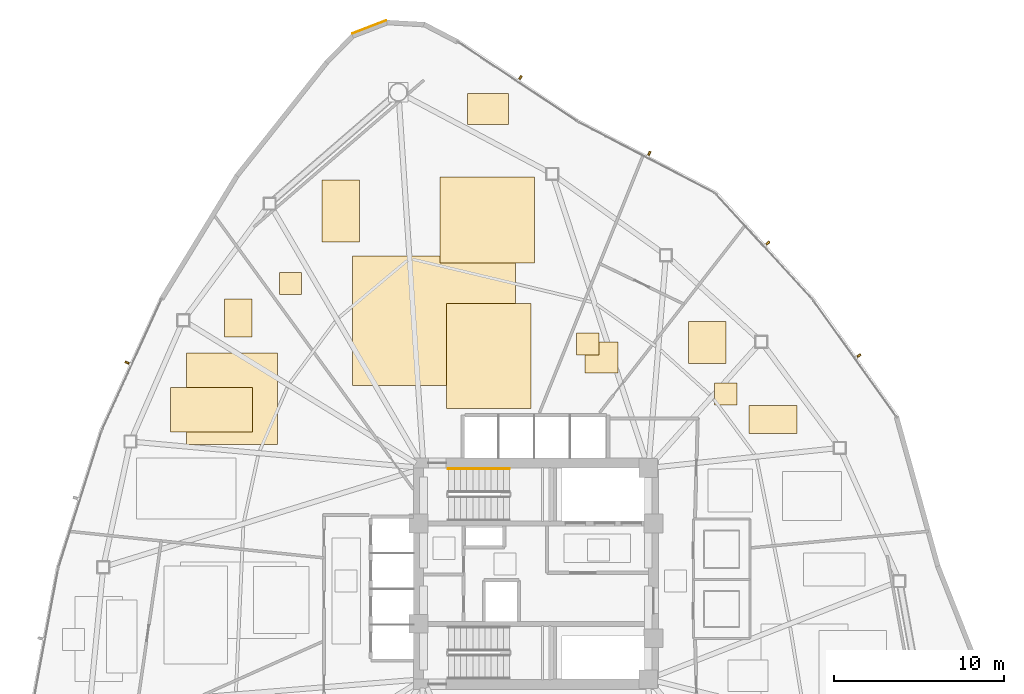
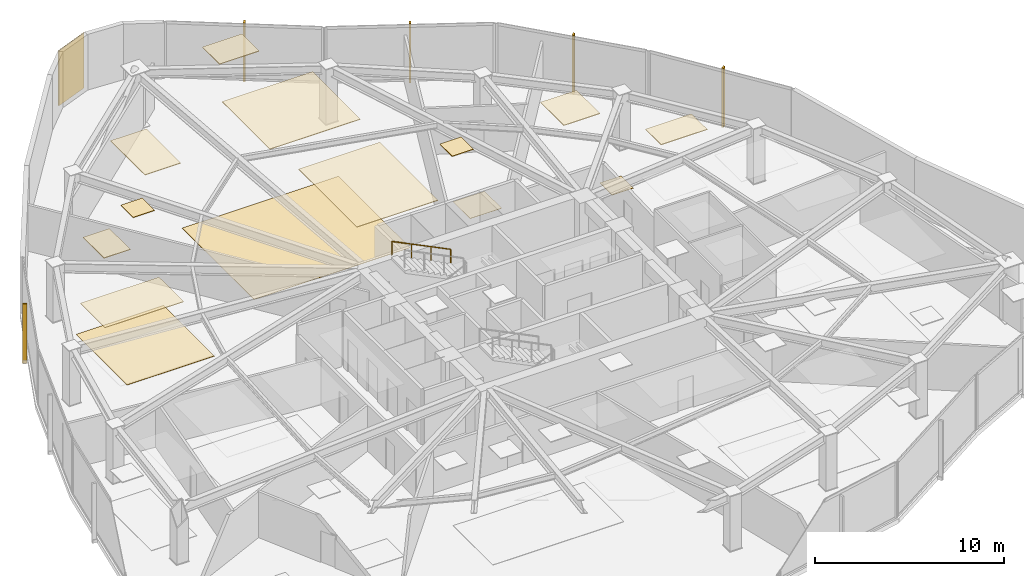
# One storey, part 18 of 18: 15 coverings, 5 shading devices, 1 railing.
"""IFC4 building model written with IfcOpenShell, lengths in metres."""

from ifc_helpers import new_model, si_unit, direction, frame, origin, origin_2d, place, context, subcontext, project, spatial, polyline, rectangle, outline, extrude, source, transform, mapped, material, layer, layer_set, type_object, type_shapes, element, save


model = new_model("IFC4")

# Units and contexts
model_context = context("Model", 3, precision=1e-05, world=origin(), true_north=direction((0.0, 1.0)))
body_context = subcontext(model_context, "Body", "Model", "MODEL_VIEW")
ifc_project = project(units=[si_unit("LENGTHUNIT", "METRE"), si_unit("AREAUNIT", "SQUARE_METRE"), si_unit("VOLUMEUNIT", "CUBIC_METRE"), si_unit("PLANEANGLEUNIT", "RADIAN"), si_unit("MASSUNIT", "GRAM", prefix="KILO")], contexts=[model_context])

# Site, building, storey
site_placement = place(None, origin())
site = spatial("IfcSite", under=ifc_project, at=site_placement, CompositionType="ELEMENT")
building_placement = place(site_placement, origin())
building = spatial("IfcBuilding", under=site, at=building_placement, Name="Tavelor Broadcast Tower", CompositionType="ELEMENT")
storey_placement = place(building_placement, frame((0.0, 0.0, 62.699951171875)))
storey = spatial("IfcBuildingStorey", under=building, at=storey_placement, Name="L14", CompositionType="ELEMENT", Elevation=62.699951171875)

# Covering
ifc_material_1 = material(Name="Copper-Bronze Anodized Aluminium", Category="aluminium")
ifc_layer_1 = layer(ifc_material_1, 0.050048828125)
ifc_layer_set_1 = layer_set([ifc_layer_1], Name="Copper-Bronze Anodized Aluminium")
covering_type_1 = type_object("IfcCoveringType", Name="Champagne-Bronze Corner Pier Metal Cladding 50 mm", PredefinedType="CLADDING", material=ifc_layer_set_1)
covering_1_placement = place(storey_placement, frame((40.21044921875, 77.101318359375, 0.02001953125), z_axis=(0.0, 0.0, 1.0), x_axis=(-0.932639023143, -0.360810826488, 0.0)))
element("IfcCovering", 1, at=covering_1_placement, inside=storey, type_object=covering_type_1, Name="L14 Champagne-Bronze Corner Cladding 03", PredefinedType="CLADDING", context=body_context, shape_type="SweptSolid", body=[
    extrude(rectangle(XDim=2.133056640625, YDim=0.050048828125, at=origin_2d()), origin(), (0.0, 0.0, 1.0), 3.56005859375),
])

# Railing
ifc_material_2 = material(Name="Steel S355", Category="steel")
railing_type = type_object("IfcRailingType", Name="Continuous Brushed Stainless Handrail 900 mm", PredefinedType="HANDRAIL", material=ifc_material_2)
railing_placement = place(storey_placement, frame((48.449951171875, 51.14990234375, 2.12744140625)))
element("IfcRailing", 2, at=railing_placement, inside=storey, type_object=railing_type, Name="L14 ST1 stair handrail 2", PredefinedType="HANDRAIL", context=body_context, shape_type="SweptSolid", body=[
    extrude(rectangle(XDim=0.048095703125, YDim=0.048095703125, at=origin_2d()), frame((0.0, 0.0, 0.8759765625), z_axis=(-0.897124305991, 0.0, 0.441778201817), x_axis=(0.0, -1.0, 0.0)), (0.0, 0.0, 1.0), 4.0126953125),
    extrude(rectangle(XDim=0.0419921875, YDim=0.0419921875, at=origin_2d()), origin(), (0.0, 0.0, 1.0), 0.851806640625),
    extrude(rectangle(XDim=0.0419921875, YDim=0.0419921875, at=origin_2d()), frame((-1.199951171875, 0.0, 0.5908203125)), (0.0, 0.0, 1.0), 0.851806640625),
    extrude(rectangle(XDim=0.0419921875, YDim=0.0419921875, at=origin_2d()), frame((-2.39990234375, 0.0, 1.181884765625)), (0.0, 0.0, 1.0), 0.851806640625),
    extrude(rectangle(XDim=0.0419921875, YDim=0.0419921875, at=origin_2d()), frame((-3.599853515625, 0.0, 1.772705078125)), (0.0, 0.0, 1.0), 0.851806640625),
])

# Coverings
ifc_material_3 = material(Name="Acoustic Nylon Carpet Tile")
ifc_layer_2 = layer(ifc_material_3, 0.02001953125)
ifc_layer_set_2 = layer_set([ifc_layer_2], Name="Acoustic Nylon Carpet Tile")
covering_type_2 = type_object("IfcCoveringType", Name="Heavy-Duty Acoustic Broadcast Carpet Tile 20 mm", PredefinedType="FLOORING", material=ifc_layer_set_2)
covering_2_placement = place(storey_placement, origin())
element("IfcCovering", 3, at=covering_2_placement, inside=storey, type_object=covering_type_2, Name="L14 Broadcast Floor Finish 0197", PredefinedType="FLOORING", context=body_context, shape_type="SweptSolid", body=[
    extrude(outline(polyline([(29.46923828125, 52.567626953125), (34.80908203125, 52.567626953125), (34.80908203125, 57.960693359375), (29.46923828125, 57.960693359375), (29.46923828125, 52.567626953125)])), origin(), (0.0, 0.0, 1.0), 0.02001953125),
])
covering_3_placement = place(storey_placement, origin())
element("IfcCovering", 4, at=covering_3_placement, inside=storey, type_object=covering_type_2, Name="L14 Broadcast Floor Finish 0198", PredefinedType="FLOORING", context=body_context, shape_type="SweptSolid", body=[
    extrude(outline(polyline([(39.24169921875, 56.05126953125), (48.7998046875, 56.05126953125), (48.7998046875, 63.656494140625), (39.24169921875, 63.656494140625), (39.24169921875, 56.05126953125)])), origin(), (0.0, 0.0, 1.0), 0.02001953125),
])
covering_4_placement = place(storey_placement, origin())
element("IfcCovering", 5, at=covering_4_placement, inside=storey, type_object=covering_type_2, Name="L14 Broadcast Floor Finish 0199", PredefinedType="FLOORING", context=body_context, shape_type="SweptSolid", body=[
    extrude(outline(polyline([(60.498291015625, 54.908203125), (61.79833984375, 54.908203125), (61.79833984375, 56.208251953125), (60.498291015625, 56.208251953125), (60.498291015625, 54.908203125)])), origin(), (0.0, 0.0, 1.0), 0.02001953125),
])
covering_5_placement = place(storey_placement, origin())
element("IfcCovering", 6, at=covering_5_placement, inside=storey, type_object=covering_type_2, Name="L14 Broadcast Floor Finish 0202", PredefinedType="FLOORING", context=body_context, shape_type="SweptSolid", body=[
    extrude(outline(polyline([(52.889892578125, 56.785400390625), (54.8203125, 56.785400390625), (54.8203125, 58.59716796875), (52.889892578125, 58.59716796875), (52.889892578125, 56.785400390625)])), origin(), (0.0, 0.0, 1.0), 0.02001953125),
])
ifc_material_4 = material(Name="Acoustic Mineral Fibre Tile")
ifc_layer_3 = layer(ifc_material_4, 0.0400390625)
ifc_layer_set_3 = layer_set([ifc_layer_3], Name="Acoustic Mineral Fibre Tile")
covering_type_3 = type_object("IfcCoveringType", Name="Suspended Acoustic Mineral-Fibre Office Ceiling 40 mm", PredefinedType="CEILING", material=ifc_layer_set_3)
covering_6_placement = place(storey_placement, frame((0.0, 0.0, 3.56005859375)))
element("IfcCovering", 7, at=covering_6_placement, inside=storey, type_object=covering_type_3, Name="L14 Suspended Acoustic Ceiling 0561", PredefinedType="CEILING", context=body_context, shape_type="SweptSolid", body=[
    extrude(outline(polyline([(31.717041015625, 58.9072265625), (33.325927734375, 58.9072265625), (33.325927734375, 61.120849609375), (31.717041015625, 61.120849609375), (31.717041015625, 58.9072265625)])), origin(), (0.0, 0.0, 1.0), 0.0400390625),
])
covering_7_placement = place(storey_placement, frame((0.0, 0.0, 3.56005859375)))
element("IfcCovering", 8, at=covering_7_placement, inside=storey, type_object=covering_type_3, Name="L14 Suspended Acoustic Ceiling 0563", PredefinedType="CEILING", context=body_context, shape_type="SweptSolid", body=[
    extrude(outline(polyline([(28.539306640625, 53.31689453125), (33.35888671875, 53.31689453125), (33.35888671875, 55.922607421875), (28.539306640625, 55.922607421875), (28.539306640625, 53.31689453125)])), origin(), (0.0, 0.0, 1.0), 0.0400390625),
])
covering_8_placement = place(storey_placement, frame((0.0, 0.0, 3.56005859375)))
element("IfcCovering", 9, at=covering_8_placement, inside=storey, type_object=covering_type_3, Name="L14 Suspended Acoustic Ceiling 0564", PredefinedType="CEILING", context=body_context, shape_type="SweptSolid", body=[
    extrude(outline(polyline([(37.434326171875, 64.480224609375), (39.633056640625, 64.480224609375), (39.633056640625, 68.120361328125), (37.434326171875, 68.120361328125), (37.434326171875, 64.480224609375)])), origin(), (0.0, 0.0, 1.0), 0.0400390625),
])
covering_9_placement = place(storey_placement, frame((0.0, 0.0, 3.56005859375)))
element("IfcCovering", 10, at=covering_9_placement, inside=storey, type_object=covering_type_3, Name="L14 Suspended Acoustic Ceiling 0565", PredefinedType="CEILING", context=body_context, shape_type="SweptSolid", body=[
    extrude(outline(polyline([(44.35986328125, 63.228271484375), (49.9013671875, 63.228271484375), (49.9013671875, 68.2919921875), (44.35986328125, 68.2919921875), (44.35986328125, 63.228271484375)])), origin(), (0.0, 0.0, 1.0), 0.0400390625),
])
covering_10_placement = place(storey_placement, frame((0.0, 0.0, 3.56005859375)))
element("IfcCovering", 11, at=covering_10_placement, inside=storey, type_object=covering_type_3, Name="L14 Suspended Acoustic Ceiling 0566", PredefinedType="CEILING", context=body_context, shape_type="SweptSolid", body=[
    extrude(outline(polyline([(45.975830078125, 71.364501953125), (48.392578125, 71.364501953125), (48.392578125, 73.18798828125), (45.975830078125, 73.18798828125), (45.975830078125, 71.364501953125)])), origin(), (0.0, 0.0, 1.0), 0.0400390625),
])
covering_11_placement = place(storey_placement, frame((0.0, 0.0, 3.56005859375)))
element("IfcCovering", 12, at=covering_11_placement, inside=storey, type_object=covering_type_3, Name="L14 Suspended Acoustic Ceiling 0567", PredefinedType="CEILING", context=body_context, shape_type="SweptSolid", body=[
    extrude(outline(polyline([(44.75, 54.687744140625), (49.71240234375, 54.687744140625), (49.71240234375, 60.87109375), (44.75, 60.87109375), (44.75, 54.687744140625)])), origin(), (0.0, 0.0, 1.0), 0.0400390625),
])
covering_12_placement = place(storey_placement, frame((0.0, 0.0, 3.56005859375)))
element("IfcCovering", 13, at=covering_12_placement, inside=storey, type_object=covering_type_3, Name="L14 Suspended Acoustic Ceiling 0568", PredefinedType="CEILING", context=body_context, shape_type="SweptSolid", body=[
    extrude(outline(polyline([(34.927978515625, 61.389892578125), (36.22802734375, 61.389892578125), (36.22802734375, 62.68994140625), (34.927978515625, 62.68994140625), (34.927978515625, 61.389892578125)])), origin(), (0.0, 0.0, 1.0), 0.0400390625),
])
covering_13_placement = place(storey_placement, frame((0.0, 0.0, 3.56005859375)))
element("IfcCovering", 14, at=covering_13_placement, inside=storey, type_object=covering_type_3, Name="L14 Suspended Acoustic Ceiling 0569", PredefinedType="CEILING", context=body_context, shape_type="SweptSolid", body=[
    extrude(outline(polyline([(58.944091796875, 57.34228515625), (61.1494140625, 57.34228515625), (61.1494140625, 59.808837890625), (58.944091796875, 59.808837890625), (58.944091796875, 57.34228515625)])), origin(), (0.0, 0.0, 1.0), 0.0400390625),
])
covering_14_placement = place(storey_placement, frame((0.0, 0.0, 3.56005859375)))
element("IfcCovering", 15, at=covering_14_placement, inside=storey, type_object=covering_type_3, Name="L14 Suspended Acoustic Ceiling 0572", PredefinedType="CEILING", context=body_context, shape_type="SweptSolid", body=[
    extrude(outline(polyline([(62.515380859375, 53.22216796875), (65.340087890625, 53.22216796875), (65.340087890625, 54.876220703125), (62.515380859375, 54.876220703125), (62.515380859375, 53.22216796875)])), origin(), (0.0, 0.0, 1.0), 0.0400390625),
])
covering_15_placement = place(storey_placement, frame((0.0, 0.0, 3.56005859375)))
element("IfcCovering", 16, at=covering_15_placement, inside=storey, type_object=covering_type_3, Name="L14 Suspended Acoustic Ceiling 0584", PredefinedType="CEILING", context=body_context, shape_type="SweptSolid", body=[
    extrude(outline(polyline([(52.393798828125, 57.83203125), (53.69384765625, 57.83203125), (53.69384765625, 59.132080078125), (52.393798828125, 59.132080078125), (52.393798828125, 57.83203125)])), origin(), (0.0, 0.0, 1.0), 0.0400390625),
])

# Shading devices
ifc_material_5 = material(Name="Kiln-Fired Glazed Terracotta", Category="masonry")
shading_device_type = type_object("IfcShadingDeviceType", Name="Extruded Terracotta Baguette Sun-Screen 110x240", PredefinedType="JALOUSIE", material=ifc_material_5)
shared_shape = source(origin(), body_context, "Body", "SweptSolid", [
    extrude(rectangle(XDim=0.110107421875, YDim=0.239990234375, at=origin_2d()), origin(), (0.0, 0.0, 1.0), 3.840087890625),
])
type_shapes(shading_device_type, [shared_shape])
for number, where, z_axis, x_axis, name in (
    (17, (25.988037109375, 57.3896484375, -0.259765625), (0.0, 0.0, 1.0), (-0.414375580993, -0.910105970685, 0.0), "L14 Terracotta Baguette Fin 121"),
    (18, (68.9677734375, 57.80419921875, -0.259765625), (0.0, 0.0, 1.0), (-0.581129145979, 0.813811351416, 0.0), "L14 Terracotta Baguette Fin 129"),
    (19, (63.616455078125, 64.412353515625, -0.259765625), (0.0, 0.0, 1.0), (-0.675332808121, 0.737513117358, 0.0), "L14 Terracotta Baguette Fin 130"),
    (20, (56.658447265625, 69.68408203125, -0.259765625), (0.0, 0.0, 1.0), (-0.887171959808, 0.461438959919, 0.0), "L14 Terracotta Baguette Fin 131"),
    (21, (49.09033203125, 74.132080078125, -0.259765625), (0.0, 0.0, 1.0), (-0.832728019878, 0.553682259884, 0.0), "L14 Terracotta Baguette Fin 132"),
):
    element("IfcShadingDevice", number, at=place(storey_placement, frame(where, z_axis=z_axis, x_axis=x_axis)), inside=storey, type_object=shading_device_type, Name=name, PredefinedType="JALOUSIE", context=body_context, shape_type="MappedRepresentation", body=[
        mapped(shared_shape, transform((0.0, 0.0, 0.0), scale=1.0)),
    ])

save(model, "model.ifc")
